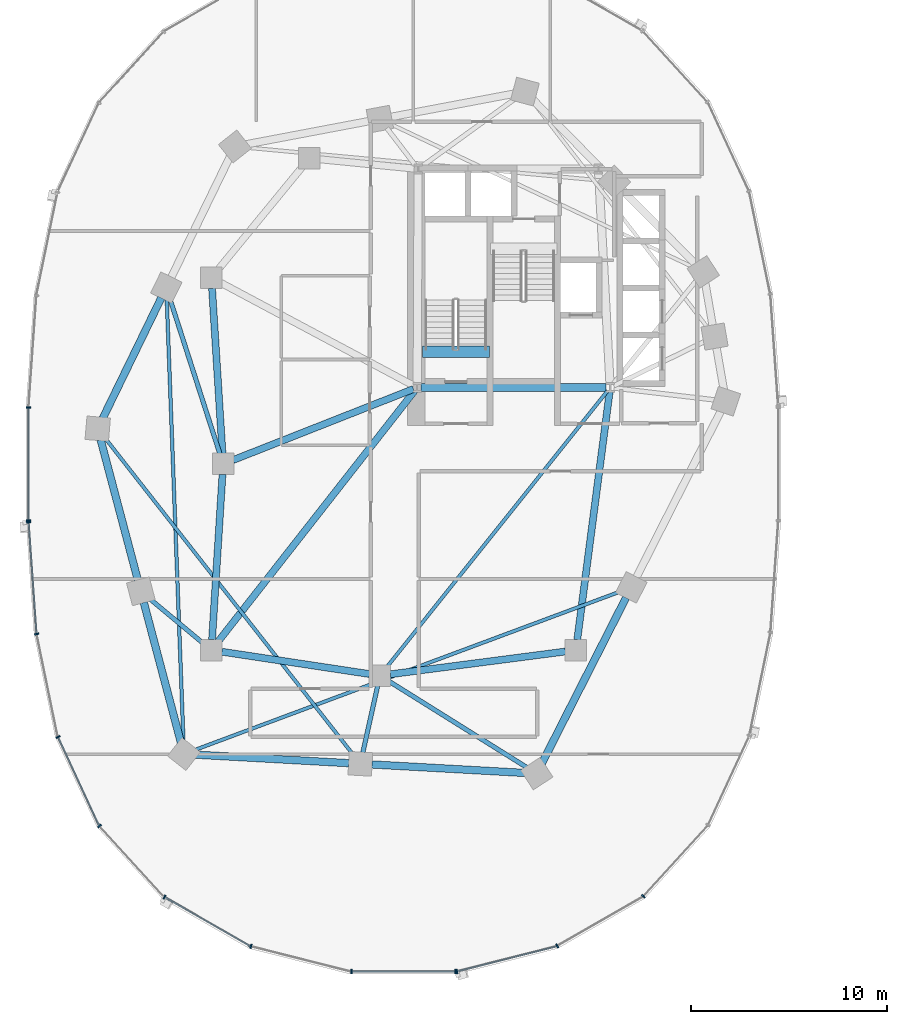
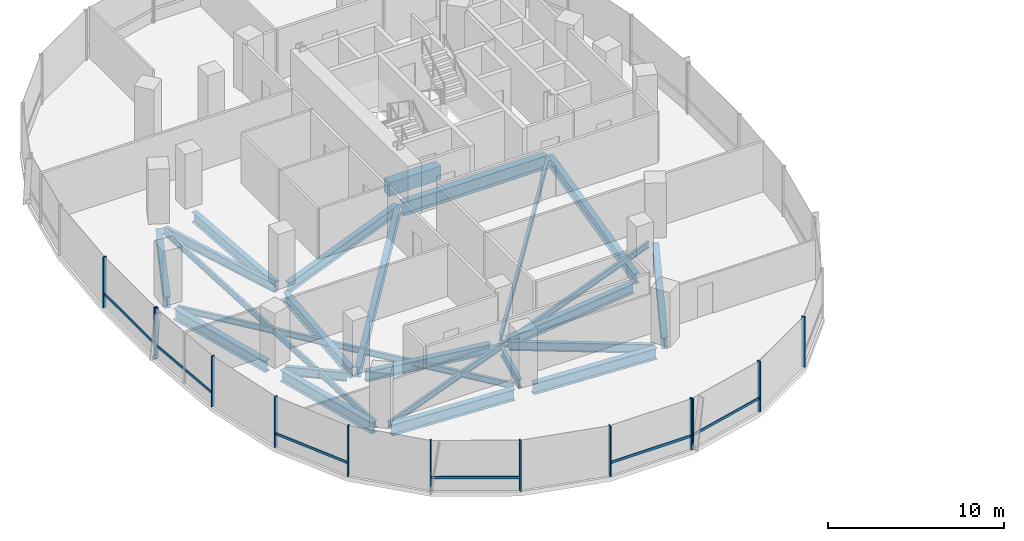
# One storey, part 2 of 21: 23 beams, 19 members, 3 elements without a shape of their own.
"""IFC4 building model written with IfcOpenShell, lengths in metres."""

from ifc_helpers import new_model, si_unit, direction, frame, origin, origin_2d, place, context, subcontext, project, spatial, rectangle, i_section, extrude, material, material_profile, profile_set, type_object, element, aggregate, save


model = new_model("IFC4")

# Units and contexts
model_context = context("Model", 3, precision=1e-05, world=origin(), true_north=direction((0.0, 1.0)))
body_context = subcontext(model_context, "Body", "Model", "MODEL_VIEW")
ifc_project = project(units=[si_unit("LENGTHUNIT", "METRE"), si_unit("AREAUNIT", "SQUARE_METRE"), si_unit("VOLUMEUNIT", "CUBIC_METRE"), si_unit("PLANEANGLEUNIT", "RADIAN"), si_unit("MASSUNIT", "GRAM", prefix="KILO"), si_unit("THERMODYNAMICTEMPERATUREUNIT", "KELVIN"), si_unit("POWERUNIT", "WATT")], contexts=[model_context])

# Site, building, storey
site_placement = place(None, origin())
site = spatial("IfcSite", under=ifc_project, at=site_placement, CompositionType="ELEMENT")
building_placement = place(site_placement, origin())
building = spatial("IfcBuilding", under=site, at=building_placement, Name="Cundina Bronze Exchange", CompositionType="ELEMENT")
storey_placement = place(building_placement, frame((0.0, 0.0, 62.0)))
storey = spatial("IfcBuildingStorey", under=building, at=storey_placement, Name="L15", CompositionType="ELEMENT", Elevation=62.0)

# Beams
ifc_material_1 = material(Name="Concrete C60/75", Category="concrete")
ifc_material_profile_1 = material_profile(ifc_material_1, rectangle(XDim=0.60009765625, YDim=0.949951171875, at=origin_2d()), Name="RC600X950", Category="concrete")
ifc_profile_set_1 = profile_set([ifc_material_profile_1], Name="Concrete C60/75")
beam_type_1 = type_object("IfcBeamType", Name="BM-COUP-RC950", PredefinedType="LINTEL", material=ifc_profile_set_1)
beam_1_placement = place(storey_placement, frame((-31.02001953125, 5.719970703125, -0.47509765625), z_axis=(1.0, 0.0, 0.0), x_axis=(0.0, 1.0, 0.0)))
element("IfcBeam", 1, at=beam_1_placement, inside=storey, type_object=beam_type_1, Name="L15 Stair W1 Landing Header Beam", PredefinedType="LINTEL", context=body_context, shape_type="SweptSolid", body=[
    extrude(rectangle(XDim=0.60009765625, YDim=0.949951171875, at=origin_2d()), origin(), (0.0, 0.0, 1.0), 3.39990234375),
])
ifc_material_2 = material(Name="Steel ASTM A992 Grade 50", Category="steel")
ifc_material_profile_2 = material_profile(ifc_material_2, i_section(OverallWidth=0.22998046875, OverallDepth=0.616943359375, WebThickness=0.01318359375, FlangeThickness=0.022216796875, FilletRadius=0.013916015625, at=origin_2d()), Name="W24X94", Category="steel")
ifc_profile_set_2 = profile_set([ifc_material_profile_2], Name="Steel ASTM A992 Grade 50")
beam_type_2 = type_object("IfcBeamType", Name="BM-FLR-W24B", PredefinedType="BEAM", material=ifc_profile_set_2)
beam_2_placement = place(storey_placement, frame((-41.364990234375, 0.51220703125, -0.6083984375), z_axis=(-0.306706454167, 0.951804155787, 0.0), x_axis=(-0.951804155787, -0.306706454167, 0.0)))
element("IfcBeam", 2, at=beam_2_placement, inside=storey, type_object=beam_type_2, Name="L15 Leg W Radial Floor Beam 07", PredefinedType="BEAM", context=body_context, shape_type="SweptSolid", body=[
    extrude(i_section(OverallWidth=0.22998046875, OverallDepth=0.616943359375, WebThickness=0.01318359375, FlangeThickness=0.022216796875, FilletRadius=0.013916015625, at=origin_2d()), origin(), (0.0, 0.0, 1.0), 8.329345703125),
])
beam_3_placement = place(storey_placement, frame((-42.21337890625, -9.155517578125, -0.6083984375), z_axis=(-0.768221279597, 0.640184399664, 0.0), x_axis=(-0.640184399664, -0.768221279597, 0.0)))
element("IfcBeam", 3, at=beam_3_placement, inside=storey, type_object=beam_type_2, Name="L15 Leg W Radial Floor Beam 09", PredefinedType="BEAM", context=body_context, shape_type="SweptSolid", body=[
    extrude(i_section(OverallWidth=0.22998046875, OverallDepth=0.616943359375, WebThickness=0.01318359375, FlangeThickness=0.022216796875, FilletRadius=0.013916015625, at=origin_2d()), origin(), (0.0, 0.0, 1.0), 3.56005859375),
])
beam_4_placement = place(storey_placement, frame((-33.316650390625, -11.3251953125, -0.6083984375), z_axis=(-0.216960137628, -0.976180464197, 0.0), x_axis=(0.976180464197, -0.216960137628, 0.0)))
element("IfcBeam", 4, at=beam_4_placement, inside=storey, type_object=beam_type_2, Name="L15 Leg W Radial Floor Beam 11", PredefinedType="BEAM", context=body_context, shape_type="SweptSolid", body=[
    extrude(i_section(OverallWidth=0.22998046875, OverallDepth=0.616943359375, WebThickness=0.01318359375, FlangeThickness=0.022216796875, FilletRadius=0.013916015625, at=origin_2d()), origin(), (0.0, 0.0, 1.0), 3.48388671875),
])
beam_5_placement = place(storey_placement, frame((-32.743896484375, -11.085205078125, -0.6083984375), z_axis=(0.848014812458, -0.529972525563, 0.0), x_axis=(0.529972525563, 0.848014812458, 0.0)))
element("IfcBeam", 5, at=beam_5_placement, inside=storey, type_object=beam_type_2, Name="L15 Leg W Radial Floor Beam 12", PredefinedType="BEAM", context=body_context, shape_type="SweptSolid", body=[
    extrude(i_section(OverallWidth=0.22998046875, OverallDepth=0.616943359375, WebThickness=0.01318359375, FlangeThickness=0.022216796875, FilletRadius=0.013916015625, at=origin_2d()), origin(), (0.0, 0.0, 1.0), 8.30810546875),
])
ifc_material_profile_3 = material_profile(ifc_material_2, i_section(OverallWidth=0.178955078125, OverallDepth=0.409912109375, WebThickness=0.0087890625, FlangeThickness=0.014404296875, FilletRadius=0.010986328125, at=origin_2d()), Name="W16X45", Category="steel")
ifc_profile_set_3 = profile_set([ifc_material_profile_3], Name="Steel ASTM A992 Grade 50")
beam_type_3 = type_object("IfcBeamType", Name="BM-JST-W16", PredefinedType="JOIST", material=ifc_profile_set_3)
beam_6_placement = place(storey_placement, frame((-21.577392578125, 3.740478515625, -0.5048828125), z_axis=(-0.62436887964, -0.781129632095, 0.0), x_axis=(0.781129632095, -0.62436887964, 0.0)))
element("IfcBeam", 6, at=beam_6_placement, inside=storey, type_object=beam_type_3, Name="L15 W Interior Core-to-Ring Joist 2", PredefinedType="JOIST", context=body_context, shape_type="SweptSolid", body=[
    extrude(i_section(OverallWidth=0.178955078125, OverallDepth=0.409912109375, WebThickness=0.0087890625, FlangeThickness=0.014404296875, FilletRadius=0.010986328125, at=origin_2d()), origin(), (0.0, 0.0, 1.0), 18.076904296875),
])
beam_7_placement = place(storey_placement, frame((-44.077880859375, 8.412353515625, -0.5048828125), z_axis=(0.037794949147, -0.999285515666, 0.0), x_axis=(0.999285515666, 0.037794949147, 0.0)))
element("IfcBeam", 7, at=beam_7_placement, inside=storey, type_object=beam_type_3, Name="L15 Leg W Lobe Floor Joist 07-10", PredefinedType="JOIST", context=body_context, shape_type="SweptSolid", body=[
    extrude(i_section(OverallWidth=0.178955078125, OverallDepth=0.409912109375, WebThickness=0.0087890625, FlangeThickness=0.014404296875, FilletRadius=0.010986328125, at=origin_2d()), origin(), (0.0, 0.0, 1.0), 22.640869140625),
])
beam_8_placement = place(storey_placement, frame((-47.2373046875, 1.337158203125, -0.5048828125), z_axis=(0.616803089524, -0.787117493614, 0.0), x_axis=(0.787117493614, 0.616803089524, 0.0)))
element("IfcBeam", 8, at=beam_8_placement, inside=storey, type_object=beam_type_3, Name="L15 Leg W Lobe Floor Joist 08-11", PredefinedType="JOIST", context=body_context, shape_type="SweptSolid", body=[
    extrude(i_section(OverallWidth=0.178955078125, OverallDepth=0.409912109375, WebThickness=0.0087890625, FlangeThickness=0.014404296875, FilletRadius=0.010986328125, at=origin_2d()), origin(), (0.0, 0.0, 1.0), 20.548828125),
])
beam_9_placement = place(storey_placement, frame((-42.64892578125, -14.5947265625, -0.5048828125), z_axis=(0.937127912449, 0.348986068074, 0.0), x_axis=(-0.348986068074, 0.937127912449, 0.0)))
element("IfcBeam", 9, at=beam_9_placement, inside=storey, type_object=beam_type_3, Name="L15 Leg W Lobe Floor Joist 10-13", PredefinedType="JOIST", context=body_context, shape_type="SweptSolid", body=[
    extrude(i_section(OverallWidth=0.178955078125, OverallDepth=0.409912109375, WebThickness=0.0087890625, FlangeThickness=0.014404296875, FilletRadius=0.010986328125, at=origin_2d()), origin(), (0.0, 0.0, 1.0), 23.18017578125),
])
ifc_material_profile_4 = material_profile(ifc_material_2, i_section(OverallWidth=0.35498046875, OverallDepth=0.695068359375, WebThickness=0.015380859375, FlangeThickness=0.02490234375, FilletRadius=0.01806640625, at=origin_2d()), Name="W27X146", Category="steel")
ifc_profile_set_4 = profile_set([ifc_material_profile_4], Name="Steel ASTM A992 Grade 50")
beam_type_4 = type_object("IfcBeamType", Name="BM-RING-W27", PredefinedType="USERDEFINED", material=ifc_profile_set_4)
for number, where, z_axis, x_axis, name in (
    (10, (-41.76611328125, 8.963134765625, -0.6474609375), (0.06303715519, -0.998011180832, 0.0), (0.998011180832, 0.06303715519, 0.0), "L15 W Inner Structural Ring Girder 03"),
    (11, (-41.23388671875, -0.536865234375, -0.6474609375), (-0.06303715519, -0.998011180832, 0.0), (0.998011180832, -0.06303715519, 0.0), "L15 W Inner Structural Ring Girder 04"),
):
    element("IfcBeam", number, at=place(storey_placement, frame(where, z_axis=z_axis, x_axis=x_axis)), inside=storey, type_object=beam_type_4, Name=name, ObjectType="GIRDER", PredefinedType="USERDEFINED", context=body_context, shape_type="SweptSolid", body=[
        extrude(i_section(OverallWidth=0.35498046875, OverallDepth=0.695068359375, WebThickness=0.015380859375, FlangeThickness=0.02490234375, FilletRadius=0.01806640625, at=origin_2d()), origin(), (0.0, 0.0, 1.0), 8.443115234375),
    ])
beam_10_placement = place(storey_placement, frame((-41.26806640625, -9.580322265625, -0.6474609375), z_axis=(0.988767489563, -0.149461873341, 0.0), x_axis=(0.149461873341, 0.988767489563, 0.0)))
element("IfcBeam", 12, at=beam_10_placement, inside=storey, type_object=beam_type_4, Name="L15 W Inner Structural Ring Girder 05", ObjectType="GIRDER", PredefinedType="USERDEFINED", context=body_context, shape_type="SweptSolid", body=[
    extrude(i_section(OverallWidth=0.35498046875, OverallDepth=0.695068359375, WebThickness=0.015380859375, FlangeThickness=0.02490234375, FilletRadius=0.01806640625, at=origin_2d()), origin(), (0.0, 0.0, 1.0), 7.621826171875),
])
beam_11_placement = place(storey_placement, frame((-32.66650390625, -10.730712890625, -0.6474609375), z_axis=(0.991654577907, 0.128923225666, 0.0), x_axis=(-0.128923225666, 0.991654577907, 0.0)))
element("IfcBeam", 13, at=beam_11_placement, inside=storey, type_object=beam_type_4, Name="L15 W Inner Structural Ring Girder 06", ObjectType="GIRDER", PredefinedType="USERDEFINED", context=body_context, shape_type="SweptSolid", body=[
    extrude(i_section(OverallWidth=0.35498046875, OverallDepth=0.695068359375, WebThickness=0.015380859375, FlangeThickness=0.02490234375, FilletRadius=0.01806640625, at=origin_2d()), origin(), (0.0, 0.0, 1.0), 9.00830078125),
])
beam_12_placement = place(storey_placement, frame((-23.13037109375, -8.966552734375, -0.6474609375), z_axis=(0.129507526533, 0.99157843894, 0.0), x_axis=(-0.99157843894, 0.129507526533, 0.0)))
element("IfcBeam", 14, at=beam_12_placement, inside=storey, type_object=beam_type_4, Name="L15 W Inner Structural Ring Girder 07", ObjectType="GIRDER", PredefinedType="USERDEFINED", context=body_context, shape_type="SweptSolid", body=[
    extrude(i_section(OverallWidth=0.35498046875, OverallDepth=0.695068359375, WebThickness=0.015380859375, FlangeThickness=0.02490234375, FilletRadius=0.01806640625, at=origin_2d()), origin(), (0.0, 0.0, 1.0), 12.77197265625),
])
beam_13_placement = place(storey_placement, frame((-31.48974609375, 3.8251953125, -0.6474609375), z_axis=(-0.930413235418, -0.366512225388, 0.0), x_axis=(0.366512225388, -0.930413235418, 0.0)))
element("IfcBeam", 15, at=beam_13_placement, inside=storey, type_object=beam_type_4, Name="L15 W Core-to-Waist Tie Beam 1", ObjectType="GIRDER", PredefinedType="USERDEFINED", context=body_context, shape_type="SweptSolid", body=[
    extrude(i_section(OverallWidth=0.35498046875, OverallDepth=0.695068359375, WebThickness=0.015380859375, FlangeThickness=0.02490234375, FilletRadius=0.01806640625, at=origin_2d()), origin(), (0.0, 0.0, 1.0), 9.8984375),
])
beam_14_placement = place(storey_placement, frame((-31.42578125, 3.739501953125, -0.6474609375), z_axis=(-0.616789275748, -0.787128318206, 0.0), x_axis=(0.787128318206, -0.616789275748, 0.0)))
element("IfcBeam", 16, at=beam_14_placement, inside=storey, type_object=beam_type_4, Name="L15 W Core-to-Waist Tie Beam 3", ObjectType="GIRDER", PredefinedType="USERDEFINED", context=body_context, shape_type="SweptSolid", body=[
    extrude(i_section(OverallWidth=0.35498046875, OverallDepth=0.695068359375, WebThickness=0.015380859375, FlangeThickness=0.02490234375, FilletRadius=0.01806640625, at=origin_2d()), origin(), (0.0, 0.0, 1.0), 16.281982421875),
])
ifc_material_profile_5 = material_profile(ifc_material_2, i_section(OverallWidth=0.381103515625, OverallDepth=0.77294921875, WebThickness=0.0166015625, FlangeThickness=0.027099609375, FilletRadius=0.01904296875, at=origin_2d()), Name="W30X173", Category="steel")
ifc_profile_set_5 = profile_set([ifc_material_profile_5], Name="Steel ASTM A992 Grade 50")
beam_type_5 = type_object("IfcBeamType", Name="BM-RING-W30", PredefinedType="USERDEFINED", material=ifc_profile_set_5)
beam_15_placement = place(storey_placement, frame((-44.357177734375, 8.47119140625, -0.6865234375), z_axis=(-0.437190698904, -0.899368830231, 0.0), x_axis=(0.899368830231, -0.437190698904, 0.0)))
element("IfcBeam", 17, at=beam_15_placement, inside=storey, type_object=beam_type_5, Name="L15 W Perimeter Ring Girder 07", ObjectType="GIRDER", PredefinedType="USERDEFINED", context=body_context, shape_type="SweptSolid", body=[
    extrude(i_section(OverallWidth=0.381103515625, OverallDepth=0.77294921875, WebThickness=0.0166015625, FlangeThickness=0.027099609375, FilletRadius=0.01904296875, at=origin_2d()), origin(), (0.0, 0.0, 1.0), 6.82958984375),
])
for number, where, z_axis, x_axis, name in (
    (18, (-47.44921875, 1.231689453125, -0.6865234375), (0.256177785604, -0.966629682021, 0.0), (0.966629682021, 0.256177785604, 0.0), "L15 W Perimeter Ring Girder 08"),
    (19, (-45.249267578125, -7.068359375, -0.6865234375), (0.256208567826, -0.966621523541, 0.0), (0.966621523541, 0.256208567826, 0.0), "L15 W Perimeter Ring Girder 09"),
):
    element("IfcBeam", number, at=place(storey_placement, frame(where, z_axis=z_axis, x_axis=x_axis)), inside=storey, type_object=beam_type_5, Name=name, ObjectType="GIRDER", PredefinedType="USERDEFINED", context=body_context, shape_type="SweptSolid", body=[
        extrude(i_section(OverallWidth=0.381103515625, OverallDepth=0.77294921875, WebThickness=0.0166015625, FlangeThickness=0.027099609375, FilletRadius=0.01904296875, at=origin_2d()), origin(), (0.0, 0.0, 1.0), 7.41064453125),
    ])
for number, where, z_axis, x_axis, name in (
    (20, (-42.61279296875, -14.83251953125, -0.6865234375), (0.998459969805, -0.055476920391, 0.0), (0.055476920391, 0.998459969805, 0.0), "L15 W Perimeter Ring Girder 10"),
    (21, (-33.61279296875, -15.33251953125, -0.6865234375), (0.998459969805, -0.055476920391, 0.0), (0.055476920391, 0.998459969805, 0.0), "L15 W Perimeter Ring Girder 11"),
):
    element("IfcBeam", number, at=place(storey_placement, frame(where, z_axis=z_axis, x_axis=x_axis)), inside=storey, type_object=beam_type_5, Name=name, ObjectType="GIRDER", PredefinedType="USERDEFINED", context=body_context, shape_type="SweptSolid", body=[
        extrude(i_section(OverallWidth=0.381103515625, OverallDepth=0.77294921875, WebThickness=0.0166015625, FlangeThickness=0.027099609375, FilletRadius=0.01904296875, at=origin_2d()), origin(), (0.0, 0.0, 1.0), 7.837646484375),
    ])
beam_16_placement = place(storey_placement, frame((-24.93359375, -15.275634765625, -0.6865234375), z_axis=(0.452819633606, 0.891602141889, 0.0), x_axis=(-0.891602141889, 0.452819633606, 0.0)))
element("IfcBeam", 22, at=beam_16_placement, inside=storey, type_object=beam_type_5, Name="L15 W Perimeter Ring Girder 12", ObjectType="GIRDER", PredefinedType="USERDEFINED", context=body_context, shape_type="SweptSolid", body=[
    extrude(i_section(OverallWidth=0.381103515625, OverallDepth=0.77294921875, WebThickness=0.0166015625, FlangeThickness=0.027099609375, FilletRadius=0.01904296875, at=origin_2d()), origin(), (0.0, 0.0, 1.0), 9.47900390625),
])
ifc_material_profile_6 = material_profile(ifc_material_2, i_section(OverallWidth=0.41796875, OverallDepth=0.927001953125, WebThickness=0.019287109375, FlangeThickness=0.031982421875, FilletRadius=0.02392578125, at=origin_2d()), Name="W36X231", Category="steel")
ifc_profile_set_6 = profile_set([ifc_material_profile_6], Name="Steel ASTM A992 Grade 50")
beam_type_6 = type_object("IfcBeamType", Name="BM-WRN-W36B", PredefinedType="USERDEFINED", material=ifc_profile_set_6)
beam_17_placement = place(storey_placement, frame((-31.095947265625, 3.89990234375, -0.763427734375), z_axis=(1.0, 0.0, 0.0), x_axis=(0.0, 1.0, 0.0)))
element("IfcBeam", 23, at=beam_17_placement, inside=storey, type_object=beam_type_6, Name="L15 W Core Perimeter Tie Girder 1", ObjectType="GIRDER", PredefinedType="USERDEFINED", context=body_context, shape_type="SweptSolid", body=[
    extrude(i_section(OverallWidth=0.41796875, OverallDepth=0.927001953125, WebThickness=0.019287109375, FlangeThickness=0.031982421875, FilletRadius=0.02392578125, at=origin_2d()), origin(), (0.0, 0.0, 1.0), 9.44189453125),
])

# Curtain wall, members
ifc_material_3 = material(Name="Anodised Bronze Aluminium 6063-T6", Category="aluminium")
curtain_wall_type = type_object("IfcCurtainWallType", Name="CWS-TRD-LOW", PredefinedType="NOTDEFINED", material=ifc_material_3)
curtain_wall_1_placement = place(storey_placement, origin())
curtain_wall_1 = element("IfcCurtainWall", 24, at=curtain_wall_1_placement, inside=storey, type_object=curtain_wall_type, Name="L15 CW-02 Curtain Wall Run CWR-L15-W2", PredefinedType="NOTDEFINED")
ifc_material_profile_7 = material_profile(ifc_material_3, rectangle(XDim=0.074951171875, YDim=0.219970703125, at=origin_2d()), Name="AL75X220", Category="aluminium")
ifc_profile_set_7 = profile_set([ifc_material_profile_7], Name="Anodised Bronze Aluminium 6063-T6")
member_type_1 = type_object("IfcMemberType", Name="CWM-MUL-220", PredefinedType="MULLION", material=ifc_profile_set_7)
member_1_placement = place(storey_placement, frame((-51.1279296875, 2.880615234375, 0.0), z_axis=(0.0, 0.0, 1.0), x_axis=(0.0, -1.0, 0.0)))
member_1 = element("IfcMember", 25, at=member_1_placement, type_object=member_type_1, Name="CW-02 Mullion 7", PredefinedType="MULLION", context=body_context, shape_type="SweptSolid", body=[
    extrude(rectangle(XDim=0.074951171875, YDim=0.219970703125, at=origin_2d()), origin(), (0.0, 0.0, 1.0), 3.5),
])
member_2_placement = place(storey_placement, frame((-51.1279296875, -2.880615234375, 0.0), z_axis=(0.0, 0.0, 1.0), x_axis=(0.0, -1.0, 0.0)))
member_2 = element("IfcMember", 26, at=member_2_placement, type_object=member_type_1, Name="CW-02 End Mullion", PredefinedType="MULLION", context=body_context, shape_type="SweptSolid", body=[
    extrude(rectangle(XDim=0.074951171875, YDim=0.219970703125, at=origin_2d()), origin(), (0.0, 0.0, 1.0), 3.5),
])

curtain_wall_2_placement = place(storey_placement, origin())
curtain_wall_2 = element("IfcCurtainWall", 27, at=curtain_wall_2_placement, inside=storey, type_object=curtain_wall_type, Name="L15 CW-02 Curtain Wall Run CWR-L15-W3", PredefinedType="NOTDEFINED")
member_3_placement = place(storey_placement, frame((-51.12451171875, -2.976318359375, 0.0), z_axis=(0.0, 0.0, 1.0), x_axis=(0.070278787473, -0.997527389113, 0.0)))
member_3 = element("IfcMember", 28, at=member_3_placement, type_object=member_type_1, Name="CW-02 Mullion 1", PredefinedType="MULLION", context=body_context, shape_type="SweptSolid", body=[
    extrude(rectangle(XDim=0.074951171875, YDim=0.219970703125, at=origin_2d()), origin(), (0.0, 0.0, 1.0), 3.5),
])
member_4_placement = place(storey_placement, frame((-50.717041015625, -8.67822265625, 0.0), z_axis=(0.0, 0.0, 1.0), x_axis=(0.201419845156, -0.979505000486, 0.0)))
member_4 = element("IfcMember", 29, at=member_4_placement, type_object=member_type_1, Name="CW-02 Mullion 2", PredefinedType="MULLION", context=body_context, shape_type="SweptSolid", body=[
    extrude(rectangle(XDim=0.074951171875, YDim=0.219970703125, at=origin_2d()), origin(), (0.0, 0.0, 1.0), 3.5),
])
member_5_placement = place(storey_placement, frame((-49.6279296875, -13.931884765625, 0.0), z_axis=(0.0, 0.0, 1.0), x_axis=(0.42087749791, -0.907117485088, 0.0)))
member_5 = element("IfcMember", 30, at=member_5_placement, type_object=member_type_1, Name="CW-02 Mullion 3", PredefinedType="MULLION", context=body_context, shape_type="SweptSolid", body=[
    extrude(rectangle(XDim=0.074951171875, YDim=0.219970703125, at=origin_2d()), origin(), (0.0, 0.0, 1.0), 3.5),
])
member_6_placement = place(storey_placement, frame((-47.508544921875, -18.47705078125, 0.0), z_axis=(0.0, 0.0, 1.0), x_axis=(0.674302387584, -0.738455340626, 0.0)))
member_6 = element("IfcMember", 31, at=member_6_placement, type_object=member_type_1, Name="CW-02 Mullion 4", PredefinedType="MULLION", context=body_context, shape_type="SweptSolid", body=[
    extrude(rectangle(XDim=0.074951171875, YDim=0.219970703125, at=origin_2d()), origin(), (0.0, 0.0, 1.0), 3.5),
])
member_7_placement = place(storey_placement, frame((-44.189697265625, -22.097412109375, 0.0), z_axis=(0.0, 0.0, 1.0), x_axis=(0.867070701164, -0.498185105339, 0.0)))
member_7 = element("IfcMember", 32, at=member_7_placement, type_object=member_type_1, Name="CW-02 Mullion 5", PredefinedType="MULLION", context=body_context, shape_type="SweptSolid", body=[
    extrude(rectangle(XDim=0.074951171875, YDim=0.219970703125, at=origin_2d()), origin(), (0.0, 0.0, 1.0), 3.5),
])
member_8_placement = place(storey_placement, frame((-39.78515625, -24.61669921875, 0.0), z_axis=(0.0, 0.0, 1.0), x_axis=(0.969488149345, -0.245138182011, 0.0)))
member_8 = element("IfcMember", 33, at=member_8_placement, type_object=member_type_1, Name="CW-02 Mullion 6", PredefinedType="MULLION", context=body_context, shape_type="SweptSolid", body=[
    extrude(rectangle(XDim=0.074951171875, YDim=0.219970703125, at=origin_2d()), origin(), (0.0, 0.0, 1.0), 3.5),
])
member_9_placement = place(storey_placement, frame((-34.654541015625, -25.905029296875, 0.0), z_axis=(0.0, 0.0, 1.0), x_axis=(1.0, 0.0, 0.0)))
member_9 = element("IfcMember", 34, at=member_9_placement, type_object=member_type_1, Name="CW-02 Mullion 7", PredefinedType="MULLION", context=body_context, shape_type="SweptSolid", body=[
    extrude(rectangle(XDim=0.074951171875, YDim=0.219970703125, at=origin_2d()), origin(), (0.0, 0.0, 1.0), 3.5),
])
member_10_placement = place(storey_placement, frame((-29.345458984375, -25.905029296875, 0.0), z_axis=(0.0, 0.0, 1.0), x_axis=(1.0, 0.0, 0.0)))
member_10 = element("IfcMember", 35, at=member_10_placement, type_object=member_type_1, Name="CW-02 End Mullion", PredefinedType="MULLION", context=body_context, shape_type="SweptSolid", body=[
    extrude(rectangle(XDim=0.074951171875, YDim=0.219970703125, at=origin_2d()), origin(), (0.0, 0.0, 1.0), 3.5),
])

curtain_wall_3_placement = place(storey_placement, origin())
curtain_wall_3 = element("IfcCurtainWall", 36, at=curtain_wall_3_placement, inside=storey, type_object=curtain_wall_type, Name="L15 CW-02 Curtain Wall Run CWR-L15-W4", PredefinedType="NOTDEFINED")
member_11_placement = place(storey_placement, frame((-29.27392578125, -25.89599609375, 0.0), z_axis=(0.0, 0.0, 1.0), x_axis=(0.969488149345, 0.245138182011, 0.0)))
member_11 = element("IfcMember", 37, at=member_11_placement, type_object=member_type_1, Name="CW-02 Mullion 1", PredefinedType="MULLION", context=body_context, shape_type="SweptSolid", body=[
    extrude(rectangle(XDim=0.074951171875, YDim=0.219970703125, at=origin_2d()), origin(), (0.0, 0.0, 1.0), 3.5),
])
member_12_placement = place(storey_placement, frame((-24.151123046875, -24.591064453125, 0.0), z_axis=(0.0, 0.0, 1.0), x_axis=(0.867070701164, 0.498185105339, 0.0)))
member_12 = element("IfcMember", 38, at=member_12_placement, type_object=member_type_1, Name="CW-02 Mullion 2", PredefinedType="MULLION", context=body_context, shape_type="SweptSolid", body=[
    extrude(rectangle(XDim=0.074951171875, YDim=0.219970703125, at=origin_2d()), origin(), (0.0, 0.0, 1.0), 3.5),
])
member_13_placement = place(storey_placement, frame((-19.760498046875, -22.0576171875, 0.0), z_axis=(0.0, 0.0, 1.0), x_axis=(0.674302387584, 0.738455340626, 0.0)))
member_13 = element("IfcMember", 39, at=member_13_placement, type_object=member_type_1, Name="CW-02 Mullion 3", PredefinedType="MULLION", context=body_context, shape_type="SweptSolid", body=[
    extrude(rectangle(XDim=0.074951171875, YDim=0.219970703125, at=origin_2d()), origin(), (0.0, 0.0, 1.0), 3.5),
])

# Member
ifc_material_profile_8 = material_profile(ifc_material_3, rectangle(XDim=0.070068359375, YDim=0.179931640625, at=origin_2d()), Name="AL70X180", Category="aluminium")
ifc_profile_set_8 = profile_set([ifc_material_profile_8], Name="Anodised Bronze Aluminium 6063-T6")
member_type_2 = type_object("IfcMemberType", Name="CWM-TRN-180", PredefinedType="USERDEFINED", material=ifc_profile_set_8)
member_14_placement = place(storey_placement, frame((-51.1279296875, 2.839111328125, 0.919921875), z_axis=(0.0, -1.0, 0.0), x_axis=(1.0, 0.0, 0.0)))
member_14 = element("IfcMember", 40, at=member_14_placement, type_object=member_type_2, Name="CW-02 Spandrel Transom 7", ObjectType="TRANSOM", PredefinedType="USERDEFINED", context=body_context, shape_type="SweptSolid", body=[
    extrude(rectangle(XDim=0.070068359375, YDim=0.179931640625, at=origin_2d()), origin(), (0.0, 0.0, 1.0), 5.67822265625),
])

aggregate(curtain_wall_1, [member_1, member_2, member_14])

member_15_placement = place(storey_placement, frame((-51.12158203125, -3.017333984375, 0.919921875), z_axis=(0.070260714471, -0.997528662246, 0.0), x_axis=(0.997528662246, 0.070260714471, 0.0)))
member_15 = element("IfcMember", 41, at=member_15_placement, type_object=member_type_2, Name="CW-02 Spandrel Transom 1", ObjectType="TRANSOM", PredefinedType="USERDEFINED", context=body_context, shape_type="SweptSolid", body=[
    extrude(rectangle(XDim=0.070068359375, YDim=0.179931640625, at=origin_2d()), origin(), (0.0, 0.0, 1.0), 5.629150390625),
])

member_16_placement = place(storey_placement, frame((-49.610595703125, -13.96923828125, 0.919921875), z_axis=(0.420811422796, -0.907148139195, 0.0), x_axis=(0.907148139195, 0.420811422796, 0.0)))
member_16 = element("IfcMember", 42, at=member_16_placement, type_object=member_type_2, Name="CW-02 Spandrel Transom 3", ObjectType="TRANSOM", PredefinedType="USERDEFINED", context=body_context, shape_type="SweptSolid", body=[
    extrude(rectangle(XDim=0.070068359375, YDim=0.179931640625, at=origin_2d()), origin(), (0.0, 0.0, 1.0), 4.95166015625),
])

member_17_placement = place(storey_placement, frame((-44.154052734375, -22.117919921875, 0.919921875), z_axis=(0.867097475651, -0.498138502546, 0.0), x_axis=(0.498138502546, 0.867097475651, 0.0)))
member_17 = element("IfcMember", 43, at=member_17_placement, type_object=member_type_2, Name="CW-02 Spandrel Transom 5", ObjectType="TRANSOM", PredefinedType="USERDEFINED", context=body_context, shape_type="SweptSolid", body=[
    extrude(rectangle(XDim=0.070068359375, YDim=0.179931640625, at=origin_2d()), origin(), (0.0, 0.0, 1.0), 5.00634765625),
])

member_18_placement = place(storey_placement, frame((-34.61328125, -25.905029296875, 0.919921875), z_axis=(1.0, 0.0, 0.0), x_axis=(0.0, 1.0, 0.0)))
member_18 = element("IfcMember", 44, at=member_18_placement, type_object=member_type_2, Name="CW-02 Spandrel Transom 7", ObjectType="TRANSOM", PredefinedType="USERDEFINED", context=body_context, shape_type="SweptSolid", body=[
    extrude(rectangle(XDim=0.070068359375, YDim=0.179931640625, at=origin_2d()), origin(), (0.0, 0.0, 1.0), 5.2265625),
])

aggregate(curtain_wall_2, [member_3, member_15, member_4, member_5, member_16, member_6, member_7, member_17, member_8, member_9, member_10, member_18])

member_19_placement = place(storey_placement, frame((-29.23388671875, -25.885986328125, 0.919921875), z_axis=(0.969483968866, 0.245154714644, 0.0), x_axis=(-0.245154714644, 0.969483968866, 0.0)))
member_19 = element("IfcMember", 45, at=member_19_placement, type_object=member_type_2, Name="CW-02 Spandrel Transom 1", ObjectType="TRANSOM", PredefinedType="USERDEFINED", context=body_context, shape_type="SweptSolid", body=[
    extrude(rectangle(XDim=0.070068359375, YDim=0.179931640625, at=origin_2d()), origin(), (0.0, 0.0, 1.0), 5.21826171875),
])

aggregate(curtain_wall_3, [member_11, member_19, member_12, member_13])

save(model, "model.ifc")
